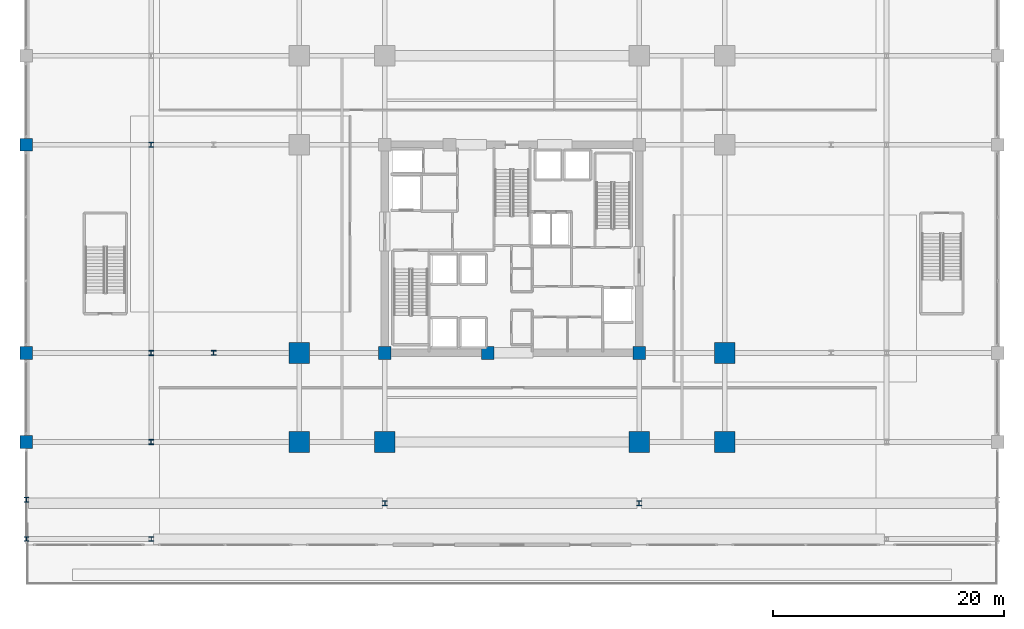
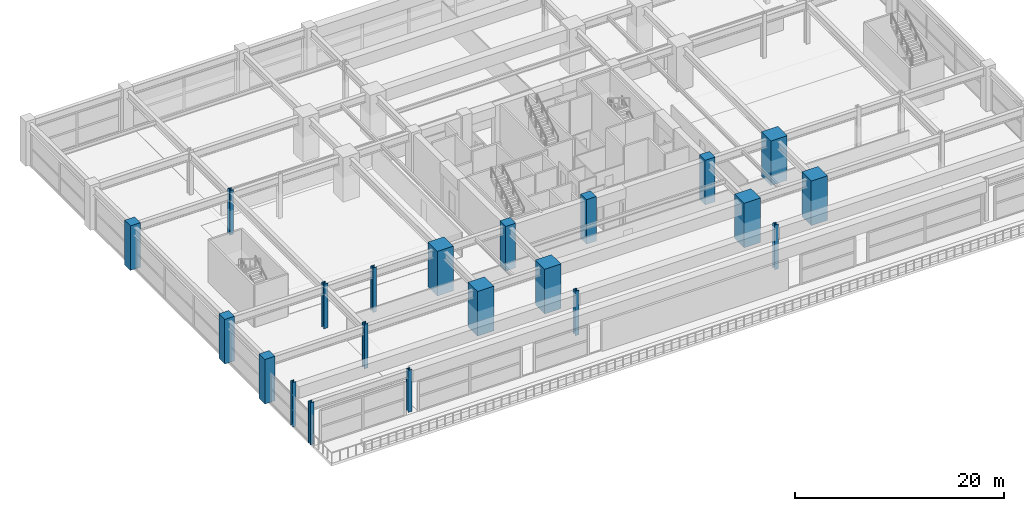
# One storey, part 1 of 45: 21 columns.
"""IFC4 building model written with IfcOpenShell, lengths in metres."""

import ifcopenshell
import ifcopenshell.guid

model = None  # the IFC model being written
_history = None  # IfcOwnerHistory: only IFC2X3 demands one
_inside = {}  # id of a spatial element -> (the spatial element, [elements in it])
_under = {}  # id of a project, library or spatial element -> (it, [spatial elements below it])
_declared = {}  # id of a project -> (the project, [libraries it declares])
_typed = {}  # id of a type object -> (the type object, [elements of that type])
_made_of = {}  # id of a material, layer set ... -> (it, [elements and type objects made of it])


def new_model(schema):
    """Start an empty IFC model of exactly this schema.

    Asked for "IFC4X3", IfcOpenShell would pick the latest addendum, in which some entities
    have other attributes; the version numbers below select the first issue.
    IFC2X3 requires an IfcOwnerHistory on every rooted entity: one is made here for all.
    """
    global model, _history
    if schema == "IFC4X3":
        model = ifcopenshell.file(schema_version=(4, 3, 0, 0))
    else:
        model = ifcopenshell.file(schema=schema)
    _inside.clear()
    _under.clear()
    _declared.clear()
    _typed.clear()
    _made_of.clear()
    _history = None
    if model.schema == "IFC2X3":
        org = make("IfcOrganization", Name="unknown")
        user = make(
            "IfcPersonAndOrganization",
            ThePerson=make("IfcPerson", FamilyName="unknown"),
            TheOrganization=org,
        )
        app = make(
            "IfcApplication",
            ApplicationDeveloper=org,
            Version="unknown",
            ApplicationFullName="unknown",
            ApplicationIdentifier="unknown",
        )
        _history = make(
            "IfcOwnerHistory",
            OwningUser=user,
            OwningApplication=app,
            ChangeAction="ADDED",
            CreationDate=0,
        )
    return model


def make(cls, **values):
    """One entity of the class cls with the attributes given. An attribute that is None is left unset."""
    return model.create_entity(
        cls, **{name: value for name, value in values.items() if value is not None}
    )


def rooted(cls, **values):
    """An entity with a GlobalId (a new one), such as an element, a storey or a relation."""
    return make(cls, GlobalId=ifcopenshell.guid.new(), OwnerHistory=_history, **values)


def si_unit(unit_type, name, prefix=None):
    """IfcSIUnit, for example si_unit("LENGTHUNIT", "METRE", prefix="MILLI")."""
    return make("IfcSIUnit", UnitType=unit_type, Prefix=prefix, Name=name)


def assignment(units):
    """IfcUnitAssignment: the units of a project."""
    return None if units is None else make("IfcUnitAssignment", Units=units)


def point(xyz):
    """IfcCartesianPoint."""
    return None if xyz is None else make("IfcCartesianPoint", Coordinates=xyz)


def direction(xyz):
    """IfcDirection."""
    return None if xyz is None else make("IfcDirection", DirectionRatios=xyz)


def frame(location, z_axis=None, x_axis=None):
    """IfcAxis2Placement3D, a coordinate frame: its origin and axes. An axis left out is left unset."""
    return make(
        "IfcAxis2Placement3D",
        Location=point(location),
        Axis=direction(z_axis),
        RefDirection=direction(x_axis),
    )


def frame_2d(location, x_axis=None):
    """IfcAxis2Placement2D, a coordinate frame in the plane: its origin and x axis."""
    return make(
        "IfcAxis2Placement2D", Location=point(location), RefDirection=direction(x_axis)
    )


def origin():
    """The frame at (0, 0, 0) with its axes left unset."""
    return frame((0.0, 0.0, 0.0))


def origin_2d():
    """The frame at (0, 0) in the plane with its x axis left unset."""
    return frame_2d((0.0, 0.0))


def place(relative_to, where):
    """IfcLocalPlacement: puts the frame where relative to a parent placement (None: the world)."""
    return make(
        "IfcLocalPlacement", PlacementRelTo=relative_to, RelativePlacement=where
    )


def context(
    kind, dimensions, precision=None, world=None, true_north=None, identifier=None
):
    """IfcGeometricRepresentationContext, for example the 3D "Model" context."""
    return make(
        "IfcGeometricRepresentationContext",
        ContextIdentifier=identifier,
        ContextType=kind,
        CoordinateSpaceDimension=dimensions,
        Precision=precision,
        WorldCoordinateSystem=world,
        TrueNorth=true_north,
    )


def subcontext(parent, identifier, kind, view, scale=None):
    """IfcGeometricRepresentationSubContext, for example "Body" below "Model"."""
    return make(
        "IfcGeometricRepresentationSubContext",
        ContextIdentifier=identifier,
        ContextType=kind,
        ParentContext=parent,
        TargetScale=scale,
        TargetView=view,
    )


def project(units=None, contexts=None):
    """IfcProject with its units and contexts."""
    return rooted(
        "IfcProject",
        Name="project",
        RepresentationContexts=contexts,
        UnitsInContext=assignment(units),
    )


def spatial(cls, under=None, at=None, **own):
    """A site, building, storey or space (cls), placed at a placement, below another one or the project."""
    s = rooted(cls, ObjectPlacement=at, **own)
    if under is not None:
        _under.setdefault(under.id(), (under, []))[1].append(s)
    return s


def profile(cls, at=None, kind="AREA", **sizes):
    """A parametric profile (cls). Its sizes go by their IFC names, for example OverallWidth=200.0."""
    return make(cls, ProfileType=kind, Position=at, **sizes)


def rectangle(**sizes):
    """IfcRectangleProfileDef."""
    return profile("IfcRectangleProfileDef", **sizes)


def i_section(**sizes):
    """IfcIShapeProfileDef."""
    return profile("IfcIShapeProfileDef", **sizes)


def extrude(swept, where, along, depth):
    """IfcExtrudedAreaSolid: the profile swept, set in the frame where, extruded along a direction by depth."""
    return make(
        "IfcExtrudedAreaSolid",
        SweptArea=swept,
        Position=where,
        ExtrudedDirection=direction(along),
        Depth=depth,
    )


def shape(context_of_items, identifier, shape_type, items):
    """IfcShapeRepresentation: the items that make up one representation, for example the "Body"."""
    return make(
        "IfcShapeRepresentation",
        ContextOfItems=context_of_items,
        RepresentationIdentifier=identifier,
        RepresentationType=shape_type,
        Items=items,
    )


def material(Name=None, Category=None):
    """IfcMaterial."""
    return make("IfcMaterial", Name=Name, Category=Category)


def material_profile(
    of_material, cross_section, Name=None, Category=None, Priority=None
):
    """IfcMaterialProfile: a cross section and its material."""
    return make(
        "IfcMaterialProfile",
        Name=Name,
        Material=of_material,
        Profile=cross_section,
        Priority=Priority,
        Category=Category,
    )


def profile_set(profiles, Name=None, composite=None):
    """IfcMaterialProfileSet."""
    return make(
        "IfcMaterialProfileSet",
        Name=Name,
        MaterialProfiles=profiles,
        CompositeProfile=composite,
    )


def made_of(thing, what):
    """Note that an element or type object is made of a material, layer set ...; save() writes the relation."""
    if what is not None:
        _made_of.setdefault(what.id(), (what, []))[1].append(thing)
    return thing


def type_object(cls, material=None, **own):
    """A type object (cls), such as IfcWallType, which elements share."""
    return made_of(rooted(cls, **own), material)


def element(
    cls,
    number,
    at=None,
    inside=None,
    cuts=None,
    type_object=None,
    material=None,
    context=None,
    identifier="Body",
    shape_type=None,
    held_by="IfcProductDefinitionShape",
    body=None,
    shapes=None,
    **own,
):
    """One element of the class cls, such as IfcWall. Its Tag is "e" and its number.

    at: its placement. inside: the storey or other place that contains it. cuts: it is an
    opening in that element (IfcRelVoidsElement). A single representation is given by context,
    identifier, shape_type and body (its items); several are given by shapes. held_by: the class
    of the entity that holds the representations. save() writes the other relations.
    """
    e = rooted(cls, Tag="e%d" % number, ObjectPlacement=at, **own)
    if body is not None:
        shapes = [shape(context, identifier, shape_type, body)]
    if shapes is not None:
        e.Representation = make(held_by, Representations=shapes)
    if inside is not None:
        _inside.setdefault(inside.id(), (inside, []))[1].append(e)
    if cuts is not None:
        rooted(
            "IfcRelVoidsElement", RelatingBuildingElement=cuts, RelatedOpeningElement=e
        )
    if type_object is not None:
        _typed.setdefault(type_object.id(), (type_object, []))[1].append(e)
    return made_of(e, material)


def aggregate(whole, parts):
    """IfcRelAggregates: a whole, such as a stair, and the parts it consists of."""
    return rooted("IfcRelAggregates", RelatingObject=whole, RelatedObjects=parts)


def save(model, path):
    """Write the relations noted so far, then the file.

    IfcRelAggregates (storeys below a building ...), IfcRelContainedInSpatialStructure (elements
    in a storey), IfcRelDefinesByType, IfcRelAssociatesMaterial and IfcRelDeclares: one each for
    every whole, place, type object, material and project.
    """
    for whole, parts in _under.values():
        aggregate(whole, parts)
    for where, things in _inside.values():
        rooted(
            "IfcRelContainedInSpatialStructure",
            RelatedElements=things,
            RelatingStructure=where,
        )
    for kind, things in _typed.values():
        rooted("IfcRelDefinesByType", RelatedObjects=things, RelatingType=kind)
    for what, things in _made_of.values():
        rooted("IfcRelAssociatesMaterial", RelatedObjects=things, RelatingMaterial=what)
    for by, libraries in _declared.values():
        rooted("IfcRelDeclares", RelatingContext=by, RelatedDefinitions=libraries)
    model.write(path)


model = new_model("IFC4")

# Units and contexts
model_context = context("Model", 3, precision=1e-05, world=origin(), true_north=direction((0.0, 1.0)))
body_context = subcontext(model_context, "Body", "Model", "MODEL_VIEW")
ifc_project = project(units=[si_unit("LENGTHUNIT", "METRE"), si_unit("AREAUNIT", "SQUARE_METRE"), si_unit("VOLUMEUNIT", "CUBIC_METRE"), si_unit("PLANEANGLEUNIT", "RADIAN"), si_unit("MASSUNIT", "GRAM", prefix="KILO")], contexts=[model_context])

# Site, building, storey
site_placement = place(None, origin())
site = spatial("IfcSite", under=ifc_project, at=site_placement, CompositionType="ELEMENT")
building_placement = place(site_placement, origin())
building = spatial("IfcBuilding", under=site, at=building_placement, Name="Kovane Verandah Tower", CompositionType="ELEMENT")
storey_placement = place(building_placement, frame((0.0, 0.0, 6.0)))
storey = spatial("IfcBuildingStorey", under=building, at=storey_placement, Name="L01", CompositionType="ELEMENT", Elevation=6.0)

# Columns
ifc_material_1 = material(Name="Concrete C60/75", Category="concrete")
ifc_material_profile_1 = material_profile(ifc_material_1, rectangle(XDim=1.10009765625, YDim=1.10009765625, at=origin_2d()), Name="RC1100x1100")
ifc_profile_set_1 = profile_set([ifc_material_profile_1], Name="Concrete C60/75")
column_type_1 = type_object("IfcColumnType", Name="COL-POD1100", PredefinedType="COLUMN", material=ifc_profile_set_1)
for number, where, z_axis, x_axis, name in (
    (1, (-2.0, 10.800048828125, 0.0), (0.0, 0.0, 1.0), (1.0, 0.0, 0.0), "L01 Podium Column PC-W1"),
    (2, (-2.0, 18.5, 0.0), (0.0, 0.0, 1.0), (1.0, 0.0, 0.0), "L01 Podium Column PC-W2"),
    (3, (-2.0, 36.5, 0.0), (0.0, 0.0, 1.0), (1.0, 0.0, 0.0), "L01 Podium Column PC-W3"),
):
    element("IfcColumn", number, at=place(storey_placement, frame(where, z_axis=z_axis, x_axis=x_axis)), inside=storey, type_object=column_type_1, Name=name, PredefinedType="COLUMN", context=body_context, shape_type="SweptSolid", body=[
        extrude(rectangle(XDim=1.10009765625, YDim=1.10009765625, at=origin_2d()), origin(), (0.0, 0.0, 1.0), 5.199951171875),
    ])
ifc_material_2 = material(Name="Concrete C80/95", Category="concrete")
ifc_material_profile_2 = material_profile(ifc_material_2, rectangle(XDim=1.800048828125, YDim=1.800048828125, at=origin_2d()), Name="RC1800x1800")
ifc_profile_set_2 = profile_set([ifc_material_profile_2], Name="Concrete C80/95")
column_type_2 = type_object("IfcColumnType", Name="COL-RC1800", PredefinedType="COLUMN", material=ifc_profile_set_2)
for number, where, z_axis, x_axis, name in (
    (4, (29.0, 10.800048828125, 0.0), (0.0, 0.0, 1.0), (1.0, 0.0, 0.0), "L01 Tower Mega-Column MC-S1"),
    (5, (51.0, 10.800048828125, 0.0), (0.0, 0.0, 1.0), (1.0, 0.0, 0.0), "L01 Tower Mega-Column MC-S2"),
    (6, (21.60009765625, 18.5, 0.0), (0.0, 0.0, 1.0), (1.0, 0.0, 0.0), "L01 Tower Mega-Column MC-W1"),
    (7, (58.39990234375, 18.5, 0.0), (0.0, 0.0, 1.0), (1.0, 0.0, 0.0), "L01 Tower Mega-Column MC-E1"),
    (8, (21.60009765625, 10.800048828125, 0.0), (0.0, 0.0, 1.0), (1.0, 0.0, 0.0), "L01 Tower Mega-Column MC-SW"),
    (9, (58.39990234375, 10.800048828125, 0.0), (0.0, 0.0, 1.0), (1.0, 0.0, 0.0), "L01 Tower Mega-Column MC-SE"),
):
    element("IfcColumn", number, at=place(storey_placement, frame(where, z_axis=z_axis, x_axis=x_axis)), inside=storey, type_object=column_type_2, Name=name, PredefinedType="COLUMN", context=body_context, shape_type="SweptSolid", body=[
        extrude(rectangle(XDim=1.800048828125, YDim=1.800048828125, at=origin_2d()), origin(), (0.0, 0.0, 1.0), 5.199951171875),
    ])
ifc_material_3 = material(Name="Steel S460", Category="steel")
ifc_material_profile_3 = material_profile(ifc_material_3, i_section(OverallWidth=0.403076171875, OverallDepth=0.406494140625, WebThickness=0.026611328125, FlangeThickness=0.04296875, FilletRadius=0.01513671875, at=origin_2d()), Name="UC356x406x340")
ifc_profile_set_3 = profile_set([ifc_material_profile_3], Name="Steel S460")
column_type_3 = type_object("IfcColumnType", Name="COL-UC340", PredefinedType="COLUMN", material=ifc_profile_set_3)
for number, where, z_axis, x_axis, name in (
    (10, (-2.0, 2.39990234375, 0.0), (0.0, 0.0, 1.0), (1.0, 0.0, 0.0), "L01 South Terrace Step Column S1-1"),
    (11, (8.800048828125, 2.39990234375, 0.0), (0.0, 0.0, 1.0), (1.0, 0.0, 0.0), "L01 South Terrace Step Column S1-2"),
):
    element("IfcColumn", number, at=place(storey_placement, frame(where, z_axis=z_axis, x_axis=x_axis)), inside=storey, type_object=column_type_3, Name=name, PredefinedType="COLUMN", context=body_context, shape_type="SweptSolid", body=[
        extrude(i_section(OverallWidth=0.403076171875, OverallDepth=0.406494140625, WebThickness=0.026611328125, FlangeThickness=0.04296875, FilletRadius=0.01513671875, at=origin_2d()), origin(), (0.0, 0.0, 1.0), 4.89990234375),
    ])
column_placement = place(storey_placement, frame((-2.0, 5.800048828125, 0.0), z_axis=(0.0, 0.0, 1.0), x_axis=(1.0, 0.0, 0.0)))
element("IfcColumn", 12, at=column_placement, inside=storey, type_object=column_type_3, Name="L01 South Terrace Step Column S2-1", PredefinedType="COLUMN", context=body_context, shape_type="SweptSolid", body=[
    extrude(i_section(OverallWidth=0.403076171875, OverallDepth=0.406494140625, WebThickness=0.026611328125, FlangeThickness=0.04296875, FilletRadius=0.01513671875, at=origin_2d()), origin(), (0.0, 0.0, 1.0), 5.199951171875),
])
ifc_material_profile_4 = material_profile(ifc_material_3, i_section(OverallWidth=0.412109375, OverallDepth=0.4365234375, WebThickness=0.035888671875, FlangeThickness=0.05810546875, FilletRadius=0.01513671875, at=origin_2d()), Name="UC356x406x467")
ifc_profile_set_4 = profile_set([ifc_material_profile_4], Name="Steel S460")
column_type_4 = type_object("IfcColumnType", Name="COL-UC467", PredefinedType="COLUMN", material=ifc_profile_set_4)
for number, where, z_axis, x_axis, name in (
    (13, (14.199951171875, 18.5, 0.0), (0.0, 0.0, 1.0), (1.0, 0.0, 0.0), "L01 Verandah Perimeter Column VC-W1"),
    (14, (29.0, 5.5, 0.0), (0.0, 0.0, 1.0), (1.0, 0.0, 0.0), "L01 Verandah Perimeter Column VC-S1"),
    (15, (51.0, 5.5, 0.0), (0.0, 0.0, 1.0), (1.0, 0.0, 0.0), "L01 Verandah Perimeter Column VC-S2"),
):
    element("IfcColumn", number, at=place(storey_placement, frame(where, z_axis=z_axis, x_axis=x_axis)), inside=storey, type_object=column_type_4, Name=name, PredefinedType="COLUMN", context=body_context, shape_type="SweptSolid", body=[
        extrude(i_section(OverallWidth=0.412109375, OverallDepth=0.4365234375, WebThickness=0.035888671875, FlangeThickness=0.05810546875, FilletRadius=0.01513671875, at=origin_2d()), origin(), (0.0, 0.0, 1.0), 5.199951171875),
    ])
ifc_material_4 = material(Name="Steel S355", Category="steel")
ifc_material_profile_5 = material_profile(ifc_material_4, i_section(OverallWidth=0.41845703125, OverallDepth=0.45556640625, WebThickness=0.0419921875, FlangeThickness=0.0673828125, FilletRadius=0.01513671875, at=origin_2d()), Name="UC356x406x551")
ifc_profile_set_5 = profile_set([ifc_material_profile_5], Name="Steel S355")
column_type_5 = type_object("IfcColumnType", Name="COL-UC551", PredefinedType="COLUMN", material=ifc_profile_set_5)
for number, where, z_axis, x_axis, name in (
    (16, (8.800048828125, 10.800048828125, 0.0), (0.0, 0.0, 1.0), (1.0, 0.0, 0.0), "L01 Podium Column PC-MW1"),
    (17, (8.800048828125, 18.5, 0.0), (0.0, 0.0, 1.0), (1.0, 0.0, 0.0), "L01 Podium Column PC-MW2"),
    (18, (8.800048828125, 36.5, 0.0), (0.0, 0.0, 1.0), (1.0, 0.0, 0.0), "L01 Podium Column PC-MW3"),
):
    element("IfcColumn", number, at=place(storey_placement, frame(where, z_axis=z_axis, x_axis=x_axis)), inside=storey, type_object=column_type_5, Name=name, PredefinedType="COLUMN", context=body_context, shape_type="SweptSolid", body=[
        extrude(i_section(OverallWidth=0.41845703125, OverallDepth=0.45556640625, WebThickness=0.0419921875, FlangeThickness=0.0673828125, FilletRadius=0.01513671875, at=origin_2d()), origin(), (0.0, 0.0, 1.0), 5.199951171875),
    ])
ifc_material_profile_6 = material_profile(ifc_material_2, rectangle(XDim=1.10009765625, YDim=1.10009765625, at=origin_2d()), Name="RC1100x1100")
ifc_profile_set_6 = profile_set([ifc_material_profile_6], Name="Concrete C80/95")
column_type_6 = type_object("IfcColumnType", Name="PIL-RC1100", PredefinedType="PILASTER", material=ifc_profile_set_6)
for number, where, z_axis, x_axis, name in (
    (19, (29.0, 18.5, 0.0), (0.0, 0.0, 1.0), (1.0, 0.0, 0.0), "L01 Core Pilaster CP-SW"),
    (20, (51.0, 18.5, 0.0), (0.0, 0.0, 1.0), (1.0, 0.0, 0.0), "L01 Core Pilaster CP-SE"),
    (21, (37.89990234375, 18.5, 0.0), (0.0, 0.0, 1.0), (1.0, 0.0, 0.0), "L01 Core Pilaster CP-S"),
):
    element("IfcColumn", number, at=place(storey_placement, frame(where, z_axis=z_axis, x_axis=x_axis)), inside=storey, type_object=column_type_6, Name=name, PredefinedType="PILASTER", context=body_context, shape_type="SweptSolid", body=[
        extrude(rectangle(XDim=1.10009765625, YDim=1.10009765625, at=origin_2d()), origin(), (0.0, 0.0, 1.0), 5.199951171875),
    ])

save(model, "model.ifc")
